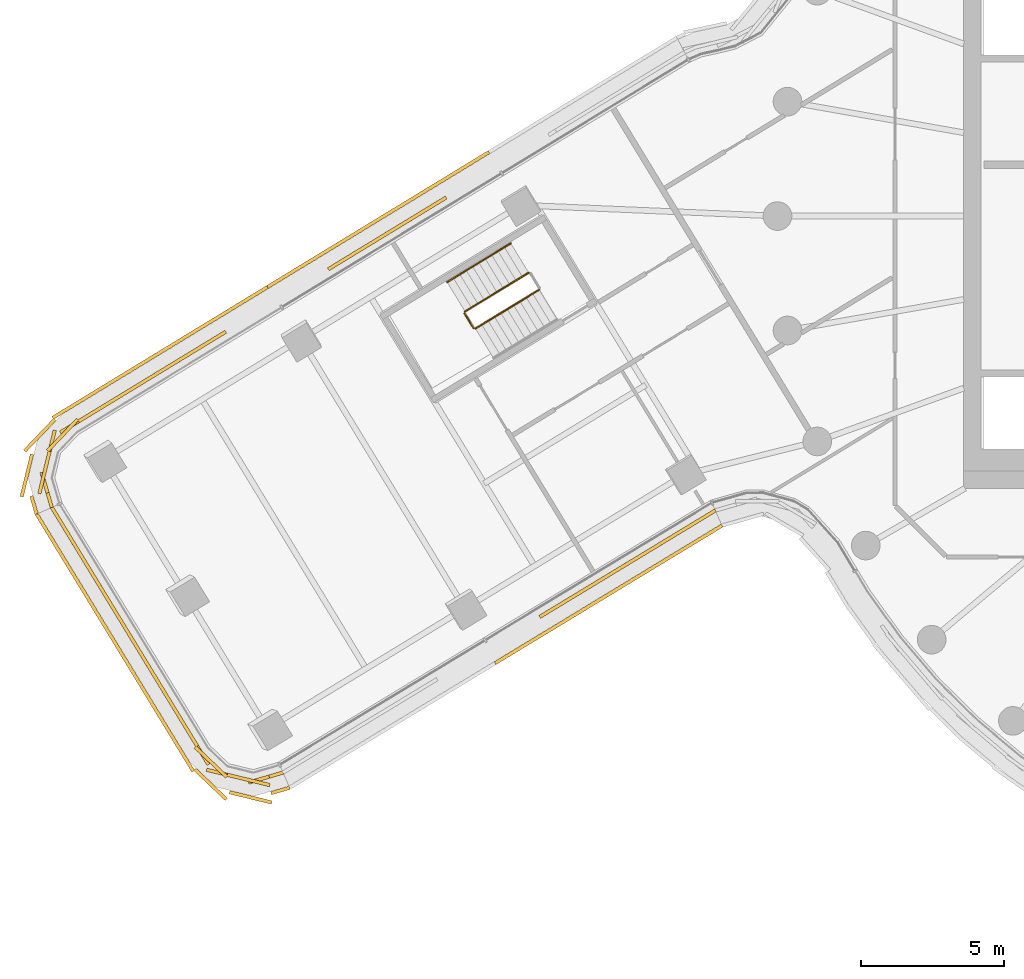
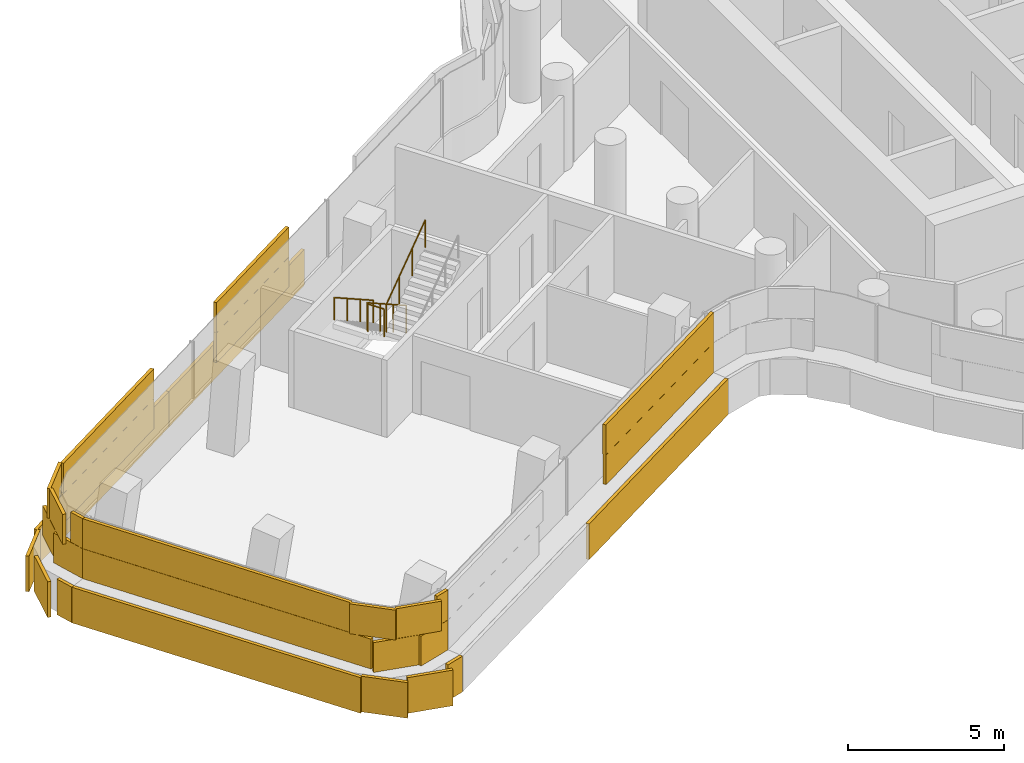
# One storey, part 29 of 35: 4 coverings, 4 railings.
"""IFC4 building model written with IfcOpenShell, lengths in metres."""

from ifc_helpers import new_model, si_unit, direction, frame, origin, origin_2d, place, context, subcontext, project, spatial, rectangle, circle, extrude, material, layer, layer_set, type_object, element, save


model = new_model("IFC4")

# Units and contexts
model_context = context("Model", 3, precision=1e-05, world=origin(), true_north=direction((0.0, 1.0)))
body_context = subcontext(model_context, "Body", "Model", "MODEL_VIEW")
ifc_project = project(units=[si_unit("LENGTHUNIT", "METRE"), si_unit("AREAUNIT", "SQUARE_METRE"), si_unit("VOLUMEUNIT", "CUBIC_METRE"), si_unit("PLANEANGLEUNIT", "RADIAN"), si_unit("MASSUNIT", "GRAM", prefix="KILO")], contexts=[model_context])

# Site, building, storey
site_placement = place(None, origin())
site = spatial("IfcSite", under=ifc_project, at=site_placement, CompositionType="ELEMENT")
building_placement = place(site_placement, origin())
building = spatial("IfcBuilding", under=site, at=building_placement, Name="Tamarind Cross Interchange Tower", CompositionType="ELEMENT")
storey_placement = place(building_placement, frame((0.0, 0.0, 148.0)))
storey = spatial("IfcBuildingStorey", under=building, at=storey_placement, Name="L36", CompositionType="ELEMENT", Elevation=148.0)

# Railings
ifc_material_1 = material(Name="Stair guard")
railing_type_1 = type_object("IfcRailingType", Name="Stair guard", PredefinedType="GUARDRAIL", material=ifc_material_1)
railing_1_placement = place(storey_placement, frame((-31.685302734375, -1.9765625, 0.17041015625)))
element("IfcRailing", 1, at=railing_1_placement, inside=storey, type_object=railing_type_1, Name="L36 ST5 stair guard 1", PredefinedType="GUARDRAIL", context=body_context, shape_type="SweptSolid", body=[
    extrude(circle(Radius=0.02392578125, at=origin_2d()), frame((0.0, 0.0, 1.076171875), z_axis=(-0.714258854614, -0.435025731592, 0.548258061006), x_axis=(0.520173310547, -0.854060727931, 0.0)), (0.0, 0.0, 1.0), 3.109130859375),
    extrude(circle(Radius=0.02099609375, at=origin_2d()), origin(), (0.0, 0.0, 1.0), 1.052001953125),
    extrude(circle(Radius=0.02099609375, at=origin_2d()), frame((-0.740234375, -0.450927734375, 0.568115234375)), (0.0, 0.0, 1.0), 1.052001953125),
    extrude(circle(Radius=0.02099609375, at=origin_2d()), frame((-1.48046875, -0.901611328125, 1.136474609375)), (0.0, 0.0, 1.0), 1.052001953125),
    extrude(circle(Radius=0.02099609375, at=origin_2d()), frame((-2.220703125, -1.3525390625, 1.70458984375)), (0.0, 0.0, 1.0), 1.052001953125),
])
railing_2_placement = place(storey_placement, frame((-33.922607421875, -3.397705078125, 1.875)))
element("IfcRailing", 2, at=railing_2_placement, inside=storey, type_object=railing_type_1, Name="L36 ST5 stair guard 2", PredefinedType="GUARDRAIL", context=body_context, shape_type="SweptSolid", body=[
    extrude(circle(Radius=0.02392578125, at=origin_2d()), frame((0.0, 0.0, 1.076171875), z_axis=(0.520050217868, -0.854135686467, 0.0), x_axis=(0.854135686467, 0.520050217868, 0.0)), (0.0, 0.0, 1.0), 0.599853515625),
    extrude(circle(Radius=0.02099609375, at=origin_2d()), origin(), (0.0, 0.0, 1.0), 1.052001953125),
    extrude(circle(Radius=0.02099609375, at=origin_2d()), frame((0.31201171875, -0.512451171875, 0.0)), (0.0, 0.0, 1.0), 1.052001953125),
])
railing_3_placement = place(storey_placement, frame((-33.541748046875, -3.9267578125, 2.04541015625)))
element("IfcRailing", 3, at=railing_3_placement, inside=storey, type_object=railing_type_1, Name="L36 ST5 stair guard 3", PredefinedType="GUARDRAIL", context=body_context, shape_type="SweptSolid", body=[
    extrude(circle(Radius=0.02392578125, at=origin_2d()), frame((0.0, 0.0, 1.076171875), z_axis=(0.714244787066, 0.434986462403, 0.548307542968), x_axis=(-0.520146531983, 0.854077037079, 0.0)), (0.0, 0.0, 1.0), 3.10888671875),
    extrude(circle(Radius=0.02099609375, at=origin_2d()), origin(), (0.0, 0.0, 1.0), 1.052001953125),
    extrude(circle(Radius=0.02099609375, at=origin_2d()), frame((0.740234375, 0.45068359375, 0.568115234375)), (0.0, 0.0, 1.0), 1.052001953125),
    extrude(circle(Radius=0.02099609375, at=origin_2d()), frame((1.480224609375, 0.901611328125, 1.136474609375)), (0.0, 0.0, 1.0), 1.052001953125),
    extrude(circle(Radius=0.02099609375, at=origin_2d()), frame((2.220458984375, 1.352294921875, 1.70458984375)), (0.0, 0.0, 1.0), 1.052001953125),
])
ifc_material_2 = material(Name="Stair handrail")
railing_type_2 = type_object("IfcRailingType", Name="Stair handrail", PredefinedType="HANDRAIL", material=ifc_material_2)
railing_4_placement = place(storey_placement, frame((-32.3095703125, -0.95166015625, 0.17041015625)))
element("IfcRailing", 4, at=railing_4_placement, inside=storey, type_object=railing_type_2, Name="L36 ST5 stair handrail 1", PredefinedType="HANDRAIL", context=body_context, shape_type="SweptSolid", body=[
    extrude(circle(Radius=0.02392578125, at=origin_2d()), frame((0.0, 0.0, 0.8759765625), z_axis=(-0.714220387385, -0.435050131513, 0.548288811954), x_axis=(0.520215026627, -0.854035318984, 0.0)), (0.0, 0.0, 1.0), 3.10888671875),
    extrude(circle(Radius=0.02099609375, at=origin_2d()), origin(), (0.0, 0.0, 1.0), 0.851806640625),
    extrude(circle(Radius=0.02099609375, at=origin_2d()), frame((-0.740234375, -0.450927734375, 0.568115234375)), (0.0, 0.0, 1.0), 0.851806640625),
    extrude(circle(Radius=0.02099609375, at=origin_2d()), frame((-1.480224609375, -0.901611328125, 1.136474609375)), (0.0, 0.0, 1.0), 0.851806640625),
    extrude(circle(Radius=0.02099609375, at=origin_2d()), frame((-2.220458984375, -1.3525390625, 1.70458984375)), (0.0, 0.0, 1.0), 0.851806640625),
])

# Coverings
ifc_material_3 = material(Name="Terracotta", Category="masonry")
ifc_layer = layer(ifc_material_3, 0.1201171875)
ifc_layer_set = layer_set([ifc_layer], Name="Terracotta")
covering_type = type_object("IfcCoveringType", Name="Terracotta baguette screen unit", PredefinedType="MOLDING", material=ifc_layer_set)
covering_1_placement = place(storey_placement, origin())
element("IfcCovering", 5, at=covering_1_placement, inside=storey, type_object=covering_type, Name="SCR-L36-00-00", PredefinedType="MOLDING", context=body_context, shape_type="SweptSolid", body=[
    extrude(rectangle(XDim=1.510009765625, YDim=0.1201171875, at=origin_2d()), frame((-47.93798828125, -10.807861328125, 1.404052734375), z_axis=(0.0, 0.0, 1.0), x_axis=(0.520175135901, -0.854059616181, 0.0)), (0.0, 0.0, 1.0), 1.1669921875),
    extrude(rectangle(XDim=1.52001953125, YDim=0.1201171875, at=origin_2d()), frame((-47.15771484375, -12.0888671875, 1.404052734375), z_axis=(0.0, 0.0, 1.0), x_axis=(0.520175135901, -0.854059616181, 0.0)), (0.0, 0.0, 1.0), 1.1669921875),
    extrude(rectangle(XDim=1.52001953125, YDim=0.1201171875, at=origin_2d()), frame((-46.37744140625, -13.369873046875, 1.404052734375), z_axis=(0.0, 0.0, 1.0), x_axis=(0.520175135901, -0.854059616181, 0.0)), (0.0, 0.0, 1.0), 1.1669921875),
    extrude(rectangle(XDim=1.52001953125, YDim=0.1201171875, at=origin_2d()), frame((-45.59716796875, -14.651123046875, 1.404052734375), z_axis=(0.0, 0.0, 1.0), x_axis=(0.520175135901, -0.854059616181, 0.0)), (0.0, 0.0, 1.0), 1.1669921875),
    extrude(rectangle(XDim=1.52001953125, YDim=0.1201171875, at=origin_2d()), frame((-44.817138671875, -15.93212890625, 1.404052734375), z_axis=(0.0, 0.0, 1.0), x_axis=(0.520175135901, -0.854059616181, 0.0)), (0.0, 0.0, 1.0), 1.1669921875),
    extrude(rectangle(XDim=1.52001953125, YDim=0.1201171875, at=origin_2d()), frame((-44.036865234375, -17.213134765625, 1.404052734375), z_axis=(0.0, 0.0, 1.0), x_axis=(0.520175135901, -0.854059616181, 0.0)), (0.0, 0.0, 1.0), 1.1669921875),
    extrude(rectangle(XDim=1.52001953125, YDim=0.1201171875, at=origin_2d()), frame((-43.256591796875, -18.494384765625, 1.404052734375), z_axis=(0.0, 0.0, 1.0), x_axis=(0.520175135901, -0.854059616181, 0.0)), (0.0, 0.0, 1.0), 1.1669921875),
    extrude(rectangle(XDim=1.52001953125, YDim=0.1201171875, at=origin_2d()), frame((-42.1884765625, -19.504150390625, 1.404052734375), z_axis=(0.0, 0.0, 1.0), x_axis=(0.971730712139, -0.236091980139, 0.0)), (0.0, 0.0, 1.0), 1.1669921875),
    extrude(rectangle(XDim=1.259521484375, YDim=0.1201171875, at=origin_2d()), frame((-40.85791015625, -19.597900390625, 1.404052734375), z_axis=(0.0, 0.0, 1.0), x_axis=(0.959589472419, 0.281403703639, 0.0)), (0.0, 0.0, 1.0), 1.1669921875),
    extrude(rectangle(XDim=0.760009765625, YDim=0.1201171875, at=origin_2d()), frame((-48.133056640625, -10.487548828125, 2.5791015625), z_axis=(0.0, 0.0, 1.0), x_axis=(0.520175135901, -0.854059616181, 0.0)), (0.0, 0.0, 1.0), 1.1669921875),
    extrude(rectangle(XDim=1.52001953125, YDim=0.1201171875, at=origin_2d()), frame((-47.5478515625, -11.4482421875, 2.5791015625), z_axis=(0.0, 0.0, 1.0), x_axis=(0.520175135901, -0.854059616181, 0.0)), (0.0, 0.0, 1.0), 1.1669921875),
    extrude(rectangle(XDim=1.52001953125, YDim=0.1201171875, at=origin_2d()), frame((-46.767578125, -12.7294921875, 2.5791015625), z_axis=(0.0, 0.0, 1.0), x_axis=(0.520175135901, -0.854059616181, 0.0)), (0.0, 0.0, 1.0), 1.1669921875),
    extrude(rectangle(XDim=1.52001953125, YDim=0.1201171875, at=origin_2d()), frame((-45.9873046875, -14.010498046875, 2.5791015625), z_axis=(0.0, 0.0, 1.0), x_axis=(0.520175135901, -0.854059616181, 0.0)), (0.0, 0.0, 1.0), 1.1669921875),
    extrude(rectangle(XDim=1.52001953125, YDim=0.1201171875, at=origin_2d()), frame((-45.20703125, -15.29150390625, 2.5791015625), z_axis=(0.0, 0.0, 1.0), x_axis=(0.520175135901, -0.854059616181, 0.0)), (0.0, 0.0, 1.0), 1.1669921875),
    extrude(rectangle(XDim=1.52001953125, YDim=0.1201171875, at=origin_2d()), frame((-44.427001953125, -16.57275390625, 2.5791015625), z_axis=(0.0, 0.0, 1.0), x_axis=(0.520175135901, -0.854059616181, 0.0)), (0.0, 0.0, 1.0), 1.1669921875),
    extrude(rectangle(XDim=1.52001953125, YDim=0.1201171875, at=origin_2d()), frame((-43.646728515625, -17.853759765625, 2.5791015625), z_axis=(0.0, 0.0, 1.0), x_axis=(0.520175135901, -0.854059616181, 0.0)), (0.0, 0.0, 1.0), 1.1669921875),
    extrude(rectangle(XDim=1.52001953125, YDim=0.1201171875, at=origin_2d()), frame((-42.76953125, -19.056884765625, 2.5791015625), z_axis=(0.0, 0.0, 1.0), x_axis=(0.72349749228, -0.6903270085, 0.0)), (0.0, 0.0, 1.0), 1.1669921875),
    extrude(rectangle(XDim=1.52001953125, YDim=0.1201171875, at=origin_2d()), frame((-41.459716796875, -19.68115234375, 2.5791015625), z_axis=(0.0, 0.0, 1.0), x_axis=(0.971730712139, -0.236091980139, 0.0)), (0.0, 0.0, 1.0), 1.1669921875),
    extrude(rectangle(XDim=0.509521484375, YDim=0.1201171875, at=origin_2d()), frame((-40.498046875, -19.4921875, 2.5791015625), z_axis=(0.0, 0.0, 1.0), x_axis=(0.959589472419, 0.281403703639, 0.0)), (0.0, 0.0, 1.0), 1.1669921875),
    extrude(rectangle(XDim=1.510009765625, YDim=0.1201171875, at=origin_2d()), frame((-48.465087890625, -11.046142578125, 0.00390625), z_axis=(0.0, 0.0, 1.0), x_axis=(0.520175135901, -0.854059616181, 0.0)), (0.0, 0.0, 1.0), 1.39208984375),
    extrude(rectangle(XDim=1.52001953125, YDim=0.1201171875, at=origin_2d()), frame((-47.687255859375, -12.322998046875, 0.00390625), z_axis=(0.0, 0.0, 1.0), x_axis=(0.520175135901, -0.854059616181, 0.0)), (0.0, 0.0, 1.0), 1.39208984375),
    extrude(rectangle(XDim=1.52001953125, YDim=0.1201171875, at=origin_2d()), frame((-46.906982421875, -13.60400390625, 0.00390625), z_axis=(0.0, 0.0, 1.0), x_axis=(0.520175135901, -0.854059616181, 0.0)), (0.0, 0.0, 1.0), 1.39208984375),
    extrude(rectangle(XDim=1.52001953125, YDim=0.1201171875, at=origin_2d()), frame((-46.126708984375, -14.885009765625, 0.00390625), z_axis=(0.0, 0.0, 1.0), x_axis=(0.520175135901, -0.854059616181, 0.0)), (0.0, 0.0, 1.0), 1.39208984375),
    extrude(rectangle(XDim=1.52001953125, YDim=0.1201171875, at=origin_2d()), frame((-45.3466796875, -16.166259765625, 0.00390625), z_axis=(0.0, 0.0, 1.0), x_axis=(0.520175135901, -0.854059616181, 0.0)), (0.0, 0.0, 1.0), 1.39208984375),
    extrude(rectangle(XDim=1.52001953125, YDim=0.1201171875, at=origin_2d()), frame((-44.56640625, -17.447265625, 0.00390625), z_axis=(0.0, 0.0, 1.0), x_axis=(0.520175135901, -0.854059616181, 0.0)), (0.0, 0.0, 1.0), 1.39208984375),
    extrude(rectangle(XDim=1.52001953125, YDim=0.1201171875, at=origin_2d()), frame((-43.7861328125, -18.728271484375, 0.00390625), z_axis=(0.0, 0.0, 1.0), x_axis=(0.520175135901, -0.854059616181, 0.0)), (0.0, 0.0, 1.0), 1.39208984375),
    extrude(rectangle(XDim=1.52001953125, YDim=0.1201171875, at=origin_2d()), frame((-42.787109375, -19.83349609375, 0.00390625), z_axis=(0.0, 0.0, 1.0), x_axis=(0.72349749228, -0.6903270085, 0.0)), (0.0, 0.0, 1.0), 1.39208984375),
    extrude(rectangle(XDim=1.52001953125, YDim=0.1201171875, at=origin_2d()), frame((-41.385498046875, -20.2900390625, 0.00390625), z_axis=(0.0, 0.0, 1.0), x_axis=(0.971730712139, -0.236091980139, 0.0)), (0.0, 0.0, 1.0), 1.39208984375),
    extrude(rectangle(XDim=0.676513671875, YDim=0.1201171875, at=origin_2d()), frame((-40.349365234375, -20.046875, 0.00390625), z_axis=(0.0, 0.0, 1.0), x_axis=(0.959589472419, 0.281403703639, 0.0)), (0.0, 0.0, 1.0), 1.39208984375),
])
covering_2_placement = place(storey_placement, origin())
element("IfcCovering", 6, at=covering_2_placement, inside=storey, type_object=covering_type, Name="SCR-L36-01-01", PredefinedType="MOLDING", context=body_context, shape_type="SweptSolid", body=[
    extrude(rectangle(XDim=1.52001953125, YDim=0.1201171875, at=origin_2d()), frame((-30.63818359375, -13.589599609375, 1.404052734375), z_axis=(0.0, 0.0, 1.0), x_axis=(0.855123301434, 0.518424670848, 0.0)), (0.0, 0.0, 1.0), 1.1669921875),
    extrude(rectangle(XDim=1.52001953125, YDim=0.1201171875, at=origin_2d()), frame((-29.35546875, -12.81201171875, 1.404052734375), z_axis=(0.0, 0.0, 1.0), x_axis=(0.855123301434, 0.518424670848, 0.0)), (0.0, 0.0, 1.0), 1.1669921875),
    extrude(rectangle(XDim=1.52001953125, YDim=0.1201171875, at=origin_2d()), frame((-28.07275390625, -12.034423828125, 1.404052734375), z_axis=(0.0, 0.0, 1.0), x_axis=(0.855123301434, 0.518424670848, 0.0)), (0.0, 0.0, 1.0), 1.1669921875),
    extrude(rectangle(XDim=1.52001953125, YDim=0.1201171875, at=origin_2d()), frame((-26.7900390625, -11.2568359375, 1.404052734375), z_axis=(0.0, 0.0, 1.0), x_axis=(0.855123301434, 0.518424670848, 0.0)), (0.0, 0.0, 1.0), 1.1669921875),
    extrude(rectangle(XDim=1.155029296875, YDim=0.1201171875, at=origin_2d()), frame((-25.6591796875, -10.571044921875, 1.404052734375), z_axis=(0.0, 0.0, 1.0), x_axis=(0.855123301434, 0.518424670848, 0.0)), (0.0, 0.0, 1.0), 1.1669921875),
    extrude(rectangle(XDim=0.775634765625, YDim=0.1201171875, at=origin_2d()), frame((-30.965576171875, -13.7880859375, 2.5791015625), z_axis=(0.0, 0.0, 1.0), x_axis=(0.855123301434, 0.518424670848, 0.0)), (0.0, 0.0, 1.0), 1.1669921875),
    extrude(rectangle(XDim=1.52001953125, YDim=0.1201171875, at=origin_2d()), frame((-29.996826171875, -13.200927734375, 2.5791015625), z_axis=(0.0, 0.0, 1.0), x_axis=(0.855123301434, 0.518424670848, 0.0)), (0.0, 0.0, 1.0), 1.1669921875),
    extrude(rectangle(XDim=1.52001953125, YDim=0.1201171875, at=origin_2d()), frame((-28.714111328125, -12.42333984375, 2.5791015625), z_axis=(0.0, 0.0, 1.0), x_axis=(0.855123301434, 0.518424670848, 0.0)), (0.0, 0.0, 1.0), 1.1669921875),
    extrude(rectangle(XDim=1.52001953125, YDim=0.1201171875, at=origin_2d()), frame((-27.431396484375, -11.6455078125, 2.5791015625), z_axis=(0.0, 0.0, 1.0), x_axis=(0.855123301434, 0.518424670848, 0.0)), (0.0, 0.0, 1.0), 1.1669921875),
    extrude(rectangle(XDim=1.52001953125, YDim=0.1201171875, at=origin_2d()), frame((-26.14892578125, -10.867919921875, 2.5791015625), z_axis=(0.0, 0.0, 1.0), x_axis=(0.855123301434, 0.518424670848, 0.0)), (0.0, 0.0, 1.0), 1.1669921875),
    extrude(rectangle(XDim=0.405029296875, YDim=0.1201171875, at=origin_2d()), frame((-25.338623046875, -10.376708984375, 2.5791015625), z_axis=(0.0, 0.0, 1.0), x_axis=(0.855123301434, 0.518424670848, 0.0)), (0.0, 0.0, 1.0), 1.1669921875),
    extrude(rectangle(XDim=0.626708984375, YDim=0.1201171875, at=origin_2d()), frame((-32.588134765625, -15.443115234375, 0.00390625), z_axis=(0.0, 0.0, 1.0), x_axis=(0.855123301434, 0.518424670848, 0.0)), (0.0, 0.0, 1.0), 1.39208984375),
    extrude(rectangle(XDim=1.52001953125, YDim=0.1201171875, at=origin_2d()), frame((-31.6875, -14.89697265625, 0.00390625), z_axis=(0.0, 0.0, 1.0), x_axis=(0.855123301434, 0.518424670848, 0.0)), (0.0, 0.0, 1.0), 1.39208984375),
    extrude(rectangle(XDim=1.52001953125, YDim=0.1201171875, at=origin_2d()), frame((-30.40478515625, -14.119384765625, 0.00390625), z_axis=(0.0, 0.0, 1.0), x_axis=(0.855123301434, 0.518424670848, 0.0)), (0.0, 0.0, 1.0), 1.39208984375),
    extrude(rectangle(XDim=1.52001953125, YDim=0.1201171875, at=origin_2d()), frame((-29.1220703125, -13.341796875, 0.00390625), z_axis=(0.0, 0.0, 1.0), x_axis=(0.855123301434, 0.518424670848, 0.0)), (0.0, 0.0, 1.0), 1.39208984375),
    extrude(rectangle(XDim=1.52001953125, YDim=0.1201171875, at=origin_2d()), frame((-27.83935546875, -12.564208984375, 0.00390625), z_axis=(0.0, 0.0, 1.0), x_axis=(0.855123301434, 0.518424670848, 0.0)), (0.0, 0.0, 1.0), 1.39208984375),
    extrude(rectangle(XDim=1.52001953125, YDim=0.1201171875, at=origin_2d()), frame((-26.556640625, -11.786376953125, 0.00390625), z_axis=(0.0, 0.0, 1.0), x_axis=(0.855123301434, 0.518424670848, 0.0)), (0.0, 0.0, 1.0), 1.39208984375),
    extrude(rectangle(XDim=1.152587890625, YDim=0.1201171875, at=origin_2d()), frame((-25.43115234375, -11.10400390625, 0.00390625), z_axis=(0.0, 0.0, 1.0), x_axis=(0.855123301434, 0.518424670848, 0.0)), (0.0, 0.0, 1.0), 1.39208984375),
])
covering_3_placement = place(storey_placement, origin())
element("IfcCovering", 7, at=covering_3_placement, inside=storey, type_object=covering_type, Name="SCR-L36-15-01", PredefinedType="MOLDING", context=body_context, shape_type="SweptSolid", body=[
    extrude(rectangle(XDim=0.762939453125, YDim=0.1201171875, at=origin_2d()), frame((-34.891357421875, 0.449951171875, 1.404052734375), z_axis=(0.0, 0.0, 1.0), x_axis=(-0.854059616181, -0.520175135901, 0.0)), (0.0, 0.0, 1.0), 1.1669921875),
    extrude(rectangle(XDim=1.52001953125, YDim=0.1201171875, at=origin_2d()), frame((-35.853271484375, -0.135986328125, 1.404052734375), z_axis=(0.0, 0.0, 1.0), x_axis=(-0.854059616181, -0.520175135901, 0.0)), (0.0, 0.0, 1.0), 1.1669921875),
    extrude(rectangle(XDim=1.52001953125, YDim=0.1201171875, at=origin_2d()), frame((-37.134521484375, -0.916259765625, 1.404052734375), z_axis=(0.0, 0.0, 1.0), x_axis=(-0.854059616181, -0.520175135901, 0.0)), (0.0, 0.0, 1.0), 1.1669921875),
    extrude(rectangle(XDim=1.063720703125, YDim=0.1201171875, at=origin_2d()), frame((-38.224853515625, -1.58056640625, 1.404052734375), z_axis=(0.0, 0.0, 1.0), x_axis=(-0.854059616181, -0.520175135901, 0.0)), (0.0, 0.0, 1.0), 1.1669921875),
    extrude(rectangle(XDim=1.52001953125, YDim=0.1201171875, at=origin_2d()), frame((-35.212890625, 0.254150390625, 2.5791015625), z_axis=(0.0, 0.0, 1.0), x_axis=(-0.854059616181, -0.520175135901, 0.0)), (0.0, 0.0, 1.0), 1.1669921875),
    extrude(rectangle(XDim=1.52001953125, YDim=0.1201171875, at=origin_2d()), frame((-36.493896484375, -0.526123046875, 2.5791015625), z_axis=(0.0, 0.0, 1.0), x_axis=(-0.854059616181, -0.520175135901, 0.0)), (0.0, 0.0, 1.0), 1.1669921875),
    extrude(rectangle(XDim=1.52001953125, YDim=0.1201171875, at=origin_2d()), frame((-37.77490234375, -1.306396484375, 2.5791015625), z_axis=(0.0, 0.0, 1.0), x_axis=(-0.854059616181, -0.520175135901, 0.0)), (0.0, 0.0, 1.0), 1.1669921875),
    extrude(rectangle(XDim=0.313720703125, YDim=0.1201171875, at=origin_2d()), frame((-38.545166015625, -1.775634765625, 2.5791015625), z_axis=(0.0, 0.0, 1.0), x_axis=(-0.854059616181, -0.520175135901, 0.0)), (0.0, 0.0, 1.0), 1.1669921875),
    extrude(rectangle(XDim=1.328369140625, YDim=0.1201171875, at=origin_2d()), frame((-33.639404296875, 1.884521484375, 0.00390625), z_axis=(0.0, 0.0, 1.0), x_axis=(-0.854059616181, -0.520175135901, 0.0)), (0.0, 0.0, 1.0), 1.39208984375),
    extrude(rectangle(XDim=1.52001953125, YDim=0.1201171875, at=origin_2d()), frame((-34.838623046875, 1.154052734375, 0.00390625), z_axis=(0.0, 0.0, 1.0), x_axis=(-0.854059616181, -0.520175135901, 0.0)), (0.0, 0.0, 1.0), 1.39208984375),
    extrude(rectangle(XDim=1.52001953125, YDim=0.1201171875, at=origin_2d()), frame((-36.119873046875, 0.373779296875, 0.00390625), z_axis=(0.0, 0.0, 1.0), x_axis=(-0.854059616181, -0.520175135901, 0.0)), (0.0, 0.0, 1.0), 1.39208984375),
    extrude(rectangle(XDim=1.52001953125, YDim=0.1201171875, at=origin_2d()), frame((-37.40087890625, -0.406494140625, 0.00390625), z_axis=(0.0, 0.0, 1.0), x_axis=(-0.854059616181, -0.520175135901, 0.0)), (0.0, 0.0, 1.0), 1.39208984375),
    extrude(rectangle(XDim=1.52001953125, YDim=0.1201171875, at=origin_2d()), frame((-38.681884765625, -1.186767578125, 0.00390625), z_axis=(0.0, 0.0, 1.0), x_axis=(-0.854059616181, -0.520175135901, 0.0)), (0.0, 0.0, 1.0), 1.39208984375),
    extrude(rectangle(XDim=1.52001953125, YDim=0.1201171875, at=origin_2d()), frame((-39.963134765625, -1.967041015625, 0.00390625), z_axis=(0.0, 0.0, 1.0), x_axis=(-0.854059616181, -0.520175135901, 0.0)), (0.0, 0.0, 1.0), 1.39208984375),
    extrude(rectangle(XDim=0.23876953125, YDim=0.1201171875, at=origin_2d()), frame((-40.697021484375, -2.4140625, 0.00390625), z_axis=(0.0, 0.0, 1.0), x_axis=(-0.854059616181, -0.520175135901, 0.0)), (0.0, 0.0, 1.0), 1.39208984375),
])
covering_4_placement = place(storey_placement, origin())
element("IfcCovering", 8, at=covering_4_placement, inside=storey, type_object=covering_type, Name="SCR-L36-15-02", PredefinedType="MOLDING", context=body_context, shape_type="SweptSolid", body=[
    extrude(rectangle(XDim=0.75634765625, YDim=0.1201171875, at=origin_2d()), frame((-42.58056640625, -4.2333984375, 1.404052734375), z_axis=(0.0, 0.0, 1.0), x_axis=(-0.854059616181, -0.520175135901, 0.0)), (0.0, 0.0, 1.0), 1.1669921875),
    extrude(rectangle(XDim=1.52001953125, YDim=0.1201171875, at=origin_2d()), frame((-43.539794921875, -4.817626953125, 1.404052734375), z_axis=(0.0, 0.0, 1.0), x_axis=(-0.854059616181, -0.520175135901, 0.0)), (0.0, 0.0, 1.0), 1.1669921875),
    extrude(rectangle(XDim=1.52001953125, YDim=0.1201171875, at=origin_2d()), frame((-44.821044921875, -5.597900390625, 1.404052734375), z_axis=(0.0, 0.0, 1.0), x_axis=(-0.854059616181, -0.520175135901, 0.0)), (0.0, 0.0, 1.0), 1.1669921875),
    extrude(rectangle(XDim=1.52001953125, YDim=0.1201171875, at=origin_2d()), frame((-46.10205078125, -6.378173828125, 1.404052734375), z_axis=(0.0, 0.0, 1.0), x_axis=(-0.854059616181, -0.520175135901, 0.0)), (0.0, 0.0, 1.0), 1.1669921875),
    extrude(rectangle(XDim=1.52001953125, YDim=0.1201171875, at=origin_2d()), frame((-47.383056640625, -7.158447265625, 1.404052734375), z_axis=(0.0, 0.0, 1.0), x_axis=(-0.854059616181, -0.520175135901, 0.0)), (0.0, 0.0, 1.0), 1.1669921875),
    extrude(rectangle(XDim=1.52001953125, YDim=0.1201171875, at=origin_2d()), frame((-48.40576171875, -8.21728515625, 1.404052734375), z_axis=(0.0, 0.0, 1.0), x_axis=(-0.236091980139, -0.971730712139, 0.0)), (0.0, 0.0, 1.0), 1.1669921875),
    extrude(rectangle(XDim=1.280029296875, YDim=0.1201171875, at=origin_2d()), frame((-48.5068359375, -9.557861328125, 1.404052734375), z_axis=(0.0, 0.0, 1.0), x_axis=(0.281403703639, -0.959589472419, 0.0)), (0.0, 0.0, 1.0), 1.1669921875),
    extrude(rectangle(XDim=1.50634765625, YDim=0.1201171875, at=origin_2d()), frame((-42.90087890625, -4.428466796875, 2.5791015625), z_axis=(0.0, 0.0, 1.0), x_axis=(-0.854059616181, -0.520175135901, 0.0)), (0.0, 0.0, 1.0), 1.1669921875),
    extrude(rectangle(XDim=1.52001953125, YDim=0.1201171875, at=origin_2d()), frame((-44.180419921875, -5.207763671875, 2.5791015625), z_axis=(0.0, 0.0, 1.0), x_axis=(-0.854059616181, -0.520175135901, 0.0)), (0.0, 0.0, 1.0), 1.1669921875),
    extrude(rectangle(XDim=1.52001953125, YDim=0.1201171875, at=origin_2d()), frame((-45.46142578125, -5.988037109375, 2.5791015625), z_axis=(0.0, 0.0, 1.0), x_axis=(-0.854059616181, -0.520175135901, 0.0)), (0.0, 0.0, 1.0), 1.1669921875),
    extrude(rectangle(XDim=1.52001953125, YDim=0.1201171875, at=origin_2d()), frame((-46.74267578125, -6.768310546875, 2.5791015625), z_axis=(0.0, 0.0, 1.0), x_axis=(-0.854059616181, -0.520175135901, 0.0)), (0.0, 0.0, 1.0), 1.1669921875),
    extrude(rectangle(XDim=1.52001953125, YDim=0.1201171875, at=origin_2d()), frame((-47.948974609375, -7.64111328125, 2.5791015625), z_axis=(0.0, 0.0, 1.0), x_axis=(-0.6903270085, -0.72349749228, 0.0)), (0.0, 0.0, 1.0), 1.1669921875),
    extrude(rectangle(XDim=1.52001953125, YDim=0.1201171875, at=origin_2d()), frame((-48.582763671875, -8.946044921875, 2.5791015625), z_axis=(0.0, 0.0, 1.0), x_axis=(-0.236091980139, -0.971730712139, 0.0)), (0.0, 0.0, 1.0), 1.1669921875),
    extrude(rectangle(XDim=0.530029296875, YDim=0.1201171875, at=origin_2d()), frame((-48.4013671875, -9.917724609375, 2.5791015625), z_axis=(0.0, 0.0, 1.0), x_axis=(0.281403703639, -0.959589472419, 0.0)), (0.0, 0.0, 1.0), 1.1669921875),
    extrude(rectangle(XDim=1.28125, YDim=0.1201171875, at=origin_2d()), frame((-41.34619140625, -2.809326171875, 0.00390625), z_axis=(0.0, 0.0, 1.0), x_axis=(-0.854059616181, -0.520175135901, 0.0)), (0.0, 0.0, 1.0), 1.39208984375),
    extrude(rectangle(XDim=1.52001953125, YDim=0.1201171875, at=origin_2d()), frame((-42.525146484375, -3.527587890625, 0.00390625), z_axis=(0.0, 0.0, 1.0), x_axis=(-0.854059616181, -0.520175135901, 0.0)), (0.0, 0.0, 1.0), 1.39208984375),
    extrude(rectangle(XDim=1.52001953125, YDim=0.1201171875, at=origin_2d()), frame((-43.806396484375, -4.307861328125, 0.00390625), z_axis=(0.0, 0.0, 1.0), x_axis=(-0.854059616181, -0.520175135901, 0.0)), (0.0, 0.0, 1.0), 1.39208984375),
    extrude(rectangle(XDim=1.52001953125, YDim=0.1201171875, at=origin_2d()), frame((-45.08740234375, -5.088134765625, 0.00390625), z_axis=(0.0, 0.0, 1.0), x_axis=(-0.854059616181, -0.520175135901, 0.0)), (0.0, 0.0, 1.0), 1.39208984375),
    extrude(rectangle(XDim=1.52001953125, YDim=0.1201171875, at=origin_2d()), frame((-46.36865234375, -5.868408203125, 0.00390625), z_axis=(0.0, 0.0, 1.0), x_axis=(-0.854059616181, -0.520175135901, 0.0)), (0.0, 0.0, 1.0), 1.39208984375),
    extrude(rectangle(XDim=1.52001953125, YDim=0.1201171875, at=origin_2d()), frame((-47.649658203125, -6.648681640625, 0.00390625), z_axis=(0.0, 0.0, 1.0), x_axis=(-0.854059616181, -0.520175135901, 0.0)), (0.0, 0.0, 1.0), 1.39208984375),
    extrude(rectangle(XDim=1.52001953125, YDim=0.1201171875, at=origin_2d()), frame((-48.751708984375, -7.651123046875, 0.00390625), z_axis=(0.0, 0.0, 1.0), x_axis=(-0.6903270085, -0.72349749228, 0.0)), (0.0, 0.0, 1.0), 1.39208984375),
    extrude(rectangle(XDim=1.52001953125, YDim=0.1201171875, at=origin_2d()), frame((-49.200439453125, -9.05712890625, 0.00390625), z_axis=(0.0, 0.0, 1.0), x_axis=(-0.236091980139, -0.971730712139, 0.0)), (0.0, 0.0, 1.0), 1.39208984375),
    extrude(rectangle(XDim=0.65966796875, YDim=0.1201171875, at=origin_2d()), frame((-48.950439453125, -10.084716796875, 0.00390625), z_axis=(0.0, 0.0, 1.0), x_axis=(0.281403703639, -0.959589472419, 0.0)), (0.0, 0.0, 1.0), 1.39208984375),
])

save(model, "model.ifc")
